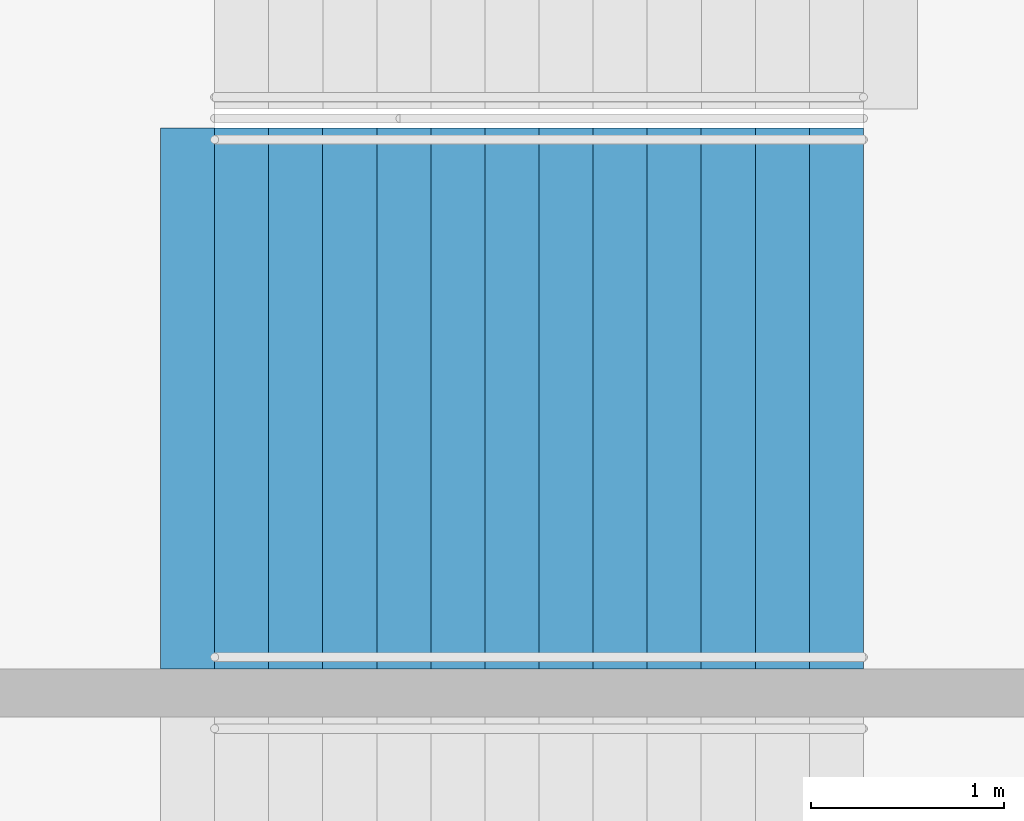
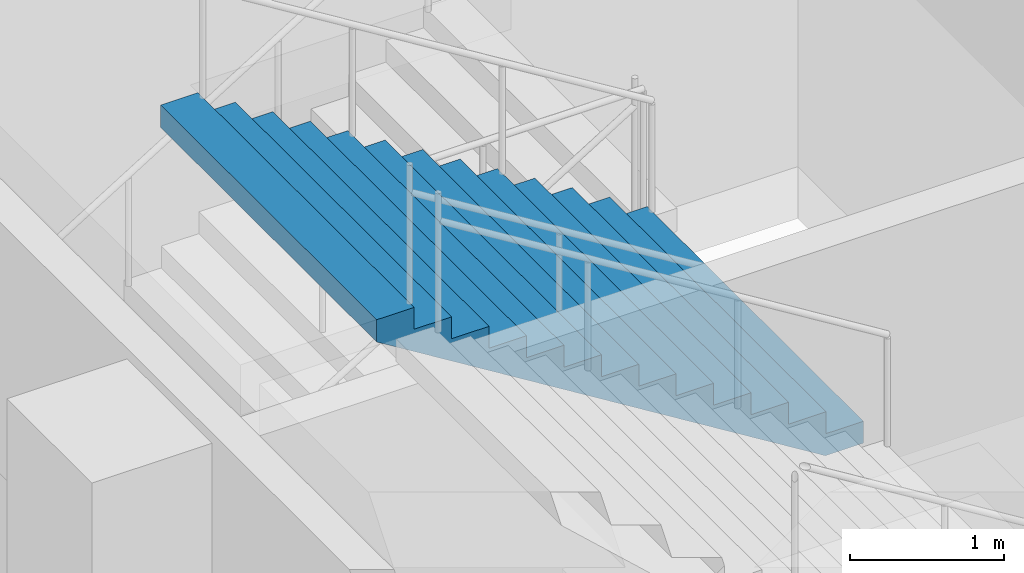
# One storey, part 143 of 199: 1 stair flight, 1 element without a shape of its own.
"""IFC4 building model written with IfcOpenShell, lengths in metres."""

from ifc_helpers import new_model, si_unit, direction, frame, origin, place, context, subcontext, project, spatial, faceted_brep, material, type_object, element, aggregate, save


model = new_model("IFC4")

# Units and contexts
model_context = context("Model", 3, precision=1e-05, world=origin(), true_north=direction((0.0, 1.0)))
body_context = subcontext(model_context, "Body", "Model", "MODEL_VIEW")
ifc_project = project(units=[si_unit("LENGTHUNIT", "METRE"), si_unit("AREAUNIT", "SQUARE_METRE"), si_unit("VOLUMEUNIT", "CUBIC_METRE"), si_unit("PLANEANGLEUNIT", "RADIAN"), si_unit("MASSUNIT", "GRAM", prefix="KILO")], contexts=[model_context])

# Site, building, storey
site_placement = place(None, origin())
site = spatial("IfcSite", under=ifc_project, at=site_placement, CompositionType="ELEMENT")
building_placement = place(site_placement, origin())
building = spatial("IfcBuilding", under=site, at=building_placement, Name="Ogive Plaza Stadium", CompositionType="ELEMENT")
storey_placement = place(building_placement, frame((0.0, 0.0, 4.5)))
storey = spatial("IfcBuildingStorey", under=building, at=storey_placement, Name="L01", CompositionType="ELEMENT", Elevation=4.5)

# Stair, stair flight
ifc_material_1 = material(Name="Concrete C40/50", Category="concrete")
stair_type = type_object("IfcStairType", Name="Exit stair", PredefinedType="STRAIGHT_RUN_STAIR", material=ifc_material_1)
stair_placement = place(storey_placement, origin())
stair = element("IfcStair", 1, at=stair_placement, inside=storey, type_object=stair_type, Name="Exit stair ST08B L01 to L02", PredefinedType="STRAIGHT_RUN_STAIR")
ifc_material_2 = material(Name="Concrete C40/50", Category="concrete")
stair_flight_type = type_object("IfcStairFlightType", Name="Exit stair flight", PredefinedType="STRAIGHT", material=ifc_material_2)
stair_flight_placement = place(storey_placement, frame((79.7099609375, -50.97509765625, 2.25), z_axis=(0.0, 0.0, 1.0), x_axis=(-1.0, 0.0, 0.0)))
stair_flight = element("IfcStairFlight", 2, at=stair_flight_placement, type_object=stair_flight_type, Name="ST08B flight 2", NumberOfRisers=13, NumberOfTreads=12, PredefinedType="STRAIGHT", RiserHeight=0.173076923, TreadLength=0.28, context=body_context, shape_type="Brep", body=[
    faceted_brep([(0.28515625, -1.39990234375, 0.0), (3.639892578125, -1.39990234375, 2.07373046875), (3.639892578125, -1.39990234375, 2.25), (3.360107421875, -1.39990234375, 2.25), (3.360107421875, -1.39990234375, 2.076904296875), (3.080078125, -1.39990234375, 2.076904296875), (3.080078125, -1.39990234375, 1.90380859375), (2.800048828125, -1.39990234375, 1.90380859375), (2.800048828125, -1.39990234375, 1.730712890625), (2.52001953125, -1.39990234375, 1.730712890625), (2.52001953125, -1.39990234375, 1.5576171875), (2.239990234375, -1.39990234375, 1.5576171875), (2.239990234375, -1.39990234375, 1.384521484375), (1.9599609375, -1.39990234375, 1.384521484375), (1.9599609375, -1.39990234375, 1.21142578125), (1.679931640625, -1.39990234375, 1.21142578125), (1.679931640625, -1.39990234375, 1.03857421875), (1.39990234375, -1.39990234375, 1.03857421875), (1.39990234375, -1.39990234375, 0.865478515625), (1.1201171875, -1.39990234375, 0.865478515625), (1.1201171875, -1.39990234375, 0.6923828125), (0.840087890625, -1.39990234375, 0.6923828125), (0.840087890625, -1.39990234375, 0.519287109375), (0.56005859375, -1.39990234375, 0.519287109375), (0.56005859375, -1.39990234375, 0.34619140625), (0.280029296875, -1.39990234375, 0.34619140625), (0.280029296875, -1.39990234375, 0.173095703125), (0.0, -1.39990234375, 0.173095703125), (0.0, -1.39990234375, 0.0), (0.0, 1.39990234375, 0.0), (0.0, 1.39990234375, 0.173095703125), (0.280029296875, 1.39990234375, 0.173095703125), (0.280029296875, 1.39990234375, 0.34619140625), (0.56005859375, 1.39990234375, 0.34619140625), (0.56005859375, 1.39990234375, 0.519287109375), (0.840087890625, 1.39990234375, 0.519287109375), (0.840087890625, 1.39990234375, 0.6923828125), (1.1201171875, 1.39990234375, 0.6923828125), (1.1201171875, 1.39990234375, 0.865478515625), (1.39990234375, 1.39990234375, 0.865478515625), (1.39990234375, 1.39990234375, 1.03857421875), (1.679931640625, 1.39990234375, 1.03857421875), (1.679931640625, 1.39990234375, 1.21142578125), (1.9599609375, 1.39990234375, 1.21142578125), (1.9599609375, 1.39990234375, 1.384521484375), (2.239990234375, 1.39990234375, 1.384521484375), (2.239990234375, 1.39990234375, 1.5576171875), (2.52001953125, 1.39990234375, 1.5576171875), (2.52001953125, 1.39990234375, 1.730712890625), (2.800048828125, 1.39990234375, 1.730712890625), (2.800048828125, 1.39990234375, 1.90380859375), (3.080078125, 1.39990234375, 1.90380859375), (3.080078125, 1.39990234375, 2.076904296875), (3.360107421875, 1.39990234375, 2.076904296875), (3.360107421875, 1.39990234375, 2.25), (3.639892578125, 1.39990234375, 2.25), (3.639892578125, 1.39990234375, 2.07373046875), (0.28515625, 1.39990234375, 0.0), (0.28515625, -1.0888671875, 0.0), (3.639892578125, -1.0888671875, 2.07373046875), (0.28515625, -0.77783203125, 0.0), (3.639892578125, -0.77783203125, 2.07373046875), (0.28515625, -0.466796875, 0.0), (3.639892578125, -0.466796875, 2.07373046875), (0.28515625, -0.155517578125, 0.0), (3.639892578125, -0.155517578125, 2.07373046875), (0.28515625, 0.155517578125, 0.0), (3.639892578125, 0.155517578125, 2.07373046875), (0.28515625, 0.466796875, 0.0), (3.639892578125, 0.466796875, 2.07373046875), (0.28515625, 0.77783203125, 0.0), (3.639892578125, 0.77783203125, 2.07373046875), (0.28515625, 1.0888671875, 0.0), (3.639892578125, 1.0888671875, 2.07373046875), (3.639892578125, -1.0888671875, 2.25), (3.639892578125, -0.77783203125, 2.25), (3.639892578125, -0.466796875, 2.25), (3.639892578125, -0.155517578125, 2.25), (3.639892578125, 0.155517578125, 2.25), (3.639892578125, 0.466796875, 2.25), (3.639892578125, 0.77783203125, 2.25), (3.639892578125, 1.0888671875, 2.25), (3.360107421875, -1.0888671875, 2.25), (3.360107421875, -0.77783203125, 2.25), (3.360107421875, -0.466796875, 2.25), (3.360107421875, -0.155517578125, 2.25), (3.360107421875, 0.155517578125, 2.25), (3.360107421875, 0.466796875, 2.25), (3.360107421875, 0.77783203125, 2.25), (3.360107421875, 1.0888671875, 2.25), (3.360107421875, -1.0888671875, 2.076904296875), (3.360107421875, -0.77783203125, 2.076904296875), (3.360107421875, -0.466796875, 2.076904296875), (3.360107421875, -0.155517578125, 2.076904296875), (3.360107421875, 0.155517578125, 2.076904296875), (3.360107421875, 0.466796875, 2.076904296875), (3.360107421875, 0.77783203125, 2.076904296875), (3.360107421875, 1.0888671875, 2.076904296875), (3.080078125, -1.0888671875, 2.076904296875), (3.080078125, -0.77783203125, 2.076904296875), (3.080078125, -0.466796875, 2.076904296875), (3.080078125, -0.155517578125, 2.076904296875), (3.080078125, 0.155517578125, 2.076904296875), (3.080078125, 0.466796875, 2.076904296875), (3.080078125, 0.77783203125, 2.076904296875), (3.080078125, 1.0888671875, 2.076904296875), (3.080078125, -1.0888671875, 1.90380859375), (3.080078125, -0.77783203125, 1.90380859375), (3.080078125, -0.466796875, 1.90380859375), (3.080078125, -0.155517578125, 1.90380859375), (3.080078125, 0.155517578125, 1.90380859375), (3.080078125, 0.466796875, 1.90380859375), (3.080078125, 0.77783203125, 1.90380859375), (3.080078125, 1.0888671875, 1.90380859375), (2.800048828125, -1.0888671875, 1.90380859375), (2.800048828125, -0.77783203125, 1.90380859375), (2.800048828125, -0.466796875, 1.90380859375), (2.800048828125, -0.155517578125, 1.90380859375), (2.800048828125, 0.155517578125, 1.90380859375), (2.800048828125, 0.466796875, 1.90380859375), (2.800048828125, 0.77783203125, 1.90380859375), (2.800048828125, 1.0888671875, 1.90380859375), (2.800048828125, -1.0888671875, 1.730712890625), (2.800048828125, -0.77783203125, 1.730712890625), (2.800048828125, -0.466796875, 1.730712890625), (2.800048828125, -0.155517578125, 1.730712890625), (2.800048828125, 0.155517578125, 1.730712890625), (2.800048828125, 0.466796875, 1.730712890625), (2.800048828125, 0.77783203125, 1.730712890625), (2.800048828125, 1.0888671875, 1.730712890625), (2.52001953125, -1.0888671875, 1.730712890625), (2.52001953125, -0.77783203125, 1.730712890625), (2.52001953125, -0.466796875, 1.730712890625), (2.52001953125, -0.155517578125, 1.730712890625), (2.52001953125, 0.155517578125, 1.730712890625), (2.52001953125, 0.466796875, 1.730712890625), (2.52001953125, 0.77783203125, 1.730712890625), (2.52001953125, 1.0888671875, 1.730712890625), (2.52001953125, -1.0888671875, 1.5576171875), (2.52001953125, -0.77783203125, 1.5576171875), (2.52001953125, -0.466796875, 1.5576171875), (2.52001953125, -0.155517578125, 1.5576171875), (2.52001953125, 0.155517578125, 1.5576171875), (2.52001953125, 0.466796875, 1.5576171875), (2.52001953125, 0.77783203125, 1.5576171875), (2.52001953125, 1.0888671875, 1.5576171875), (2.239990234375, -1.0888671875, 1.5576171875), (2.239990234375, -0.77783203125, 1.5576171875), (2.239990234375, -0.466796875, 1.5576171875), (2.239990234375, -0.155517578125, 1.5576171875), (2.239990234375, 0.155517578125, 1.5576171875), (2.239990234375, 0.466796875, 1.5576171875), (2.239990234375, 0.77783203125, 1.5576171875), (2.239990234375, 1.0888671875, 1.5576171875), (2.239990234375, -1.0888671875, 1.384521484375), (2.239990234375, -0.77783203125, 1.384521484375), (2.239990234375, -0.466796875, 1.384521484375), (2.239990234375, -0.155517578125, 1.384521484375), (2.239990234375, 0.155517578125, 1.384521484375), (2.239990234375, 0.466796875, 1.384521484375), (2.239990234375, 0.77783203125, 1.384521484375), (2.239990234375, 1.0888671875, 1.384521484375), (1.9599609375, -1.0888671875, 1.384521484375), (1.9599609375, -0.77783203125, 1.384521484375), (1.9599609375, -0.466796875, 1.384521484375), (1.9599609375, -0.155517578125, 1.384521484375), (1.9599609375, 0.155517578125, 1.384521484375), (1.9599609375, 0.466796875, 1.384521484375), (1.9599609375, 0.77783203125, 1.384521484375), (1.9599609375, 1.0888671875, 1.384521484375), (1.9599609375, -1.0888671875, 1.21142578125), (1.9599609375, -0.77783203125, 1.21142578125), (1.9599609375, -0.466796875, 1.21142578125), (1.9599609375, -0.155517578125, 1.21142578125), (1.9599609375, 0.155517578125, 1.21142578125), (1.9599609375, 0.466796875, 1.21142578125), (1.9599609375, 0.77783203125, 1.21142578125), (1.9599609375, 1.0888671875, 1.21142578125), (1.679931640625, -1.0888671875, 1.21142578125), (1.679931640625, -0.77783203125, 1.21142578125), (1.679931640625, -0.466796875, 1.21142578125), (1.679931640625, -0.155517578125, 1.21142578125), (1.679931640625, 0.155517578125, 1.21142578125), (1.679931640625, 0.466796875, 1.21142578125), (1.679931640625, 0.77783203125, 1.21142578125), (1.679931640625, 1.0888671875, 1.21142578125), (1.679931640625, -1.0888671875, 1.03857421875), (1.679931640625, -0.77783203125, 1.03857421875), (1.679931640625, -0.466796875, 1.03857421875), (1.679931640625, -0.155517578125, 1.03857421875), (1.679931640625, 0.155517578125, 1.03857421875), (1.679931640625, 0.466796875, 1.03857421875), (1.679931640625, 0.77783203125, 1.03857421875), (1.679931640625, 1.0888671875, 1.03857421875), (1.39990234375, -1.0888671875, 1.03857421875), (1.39990234375, -0.77783203125, 1.03857421875), (1.39990234375, -0.466796875, 1.03857421875), (1.39990234375, -0.155517578125, 1.03857421875), (1.39990234375, 0.155517578125, 1.03857421875), (1.39990234375, 0.466796875, 1.03857421875), (1.39990234375, 0.77783203125, 1.03857421875), (1.39990234375, 1.0888671875, 1.03857421875), (1.39990234375, -1.0888671875, 0.865478515625), (1.39990234375, -0.77783203125, 0.865478515625), (1.39990234375, -0.466796875, 0.865478515625), (1.39990234375, -0.155517578125, 0.865478515625), (1.39990234375, 0.155517578125, 0.865478515625), (1.39990234375, 0.466796875, 0.865478515625), (1.39990234375, 0.77783203125, 0.865478515625), (1.39990234375, 1.0888671875, 0.865478515625), (1.1201171875, -1.0888671875, 0.865478515625), (1.1201171875, -0.77783203125, 0.865478515625), (1.1201171875, -0.466796875, 0.865478515625), (1.1201171875, -0.155517578125, 0.865478515625), (1.1201171875, 0.155517578125, 0.865478515625), (1.1201171875, 0.466796875, 0.865478515625), (1.1201171875, 0.77783203125, 0.865478515625), (1.1201171875, 1.0888671875, 0.865478515625), (1.1201171875, -1.0888671875, 0.6923828125), (1.1201171875, -0.77783203125, 0.6923828125), (1.1201171875, -0.466796875, 0.6923828125), (1.1201171875, -0.155517578125, 0.6923828125), (1.1201171875, 0.155517578125, 0.6923828125), (1.1201171875, 0.466796875, 0.6923828125), (1.1201171875, 0.77783203125, 0.6923828125), (1.1201171875, 1.0888671875, 0.6923828125), (0.840087890625, -1.0888671875, 0.6923828125), (0.840087890625, -0.77783203125, 0.6923828125), (0.840087890625, -0.466796875, 0.6923828125), (0.840087890625, -0.155517578125, 0.6923828125), (0.840087890625, 0.155517578125, 0.6923828125), (0.840087890625, 0.466796875, 0.6923828125), (0.840087890625, 0.77783203125, 0.6923828125), (0.840087890625, 1.0888671875, 0.6923828125), (0.840087890625, -1.0888671875, 0.519287109375), (0.840087890625, -0.77783203125, 0.519287109375), (0.840087890625, -0.466796875, 0.519287109375), (0.840087890625, -0.155517578125, 0.519287109375), (0.840087890625, 0.155517578125, 0.519287109375), (0.840087890625, 0.466796875, 0.519287109375), (0.840087890625, 0.77783203125, 0.519287109375), (0.840087890625, 1.0888671875, 0.519287109375), (0.56005859375, -1.0888671875, 0.519287109375), (0.56005859375, -0.77783203125, 0.519287109375), (0.56005859375, -0.466796875, 0.519287109375), (0.56005859375, -0.155517578125, 0.519287109375), (0.56005859375, 0.155517578125, 0.519287109375), (0.56005859375, 0.466796875, 0.519287109375), (0.56005859375, 0.77783203125, 0.519287109375), (0.56005859375, 1.0888671875, 0.519287109375), (0.56005859375, -1.0888671875, 0.34619140625), (0.56005859375, -0.77783203125, 0.34619140625), (0.56005859375, -0.466796875, 0.34619140625), (0.56005859375, -0.155517578125, 0.34619140625), (0.56005859375, 0.155517578125, 0.34619140625), (0.56005859375, 0.466796875, 0.34619140625), (0.56005859375, 0.77783203125, 0.34619140625), (0.56005859375, 1.0888671875, 0.34619140625), (0.280029296875, -1.0888671875, 0.34619140625), (0.280029296875, -0.77783203125, 0.34619140625), (0.280029296875, -0.466796875, 0.34619140625), (0.280029296875, -0.155517578125, 0.34619140625), (0.280029296875, 0.155517578125, 0.34619140625), (0.280029296875, 0.466796875, 0.34619140625), (0.280029296875, 0.77783203125, 0.34619140625), (0.280029296875, 1.0888671875, 0.34619140625), (0.280029296875, -1.0888671875, 0.173095703125), (0.280029296875, -0.77783203125, 0.173095703125), (0.280029296875, -0.466796875, 0.173095703125), (0.280029296875, -0.155517578125, 0.173095703125), (0.280029296875, 0.155517578125, 0.173095703125), (0.280029296875, 0.466796875, 0.173095703125), (0.280029296875, 0.77783203125, 0.173095703125), (0.280029296875, 1.0888671875, 0.173095703125), (0.0, -1.0888671875, 0.173095703125), (0.0, -0.77783203125, 0.173095703125), (0.0, -0.466796875, 0.173095703125), (0.0, -0.155517578125, 0.173095703125), (0.0, 0.155517578125, 0.173095703125), (0.0, 0.466796875, 0.173095703125), (0.0, 0.77783203125, 0.173095703125), (0.0, 1.0888671875, 0.173095703125), (0.0, -1.0888671875, 0.0), (0.0, -0.77783203125, 0.0), (0.0, -0.466796875, 0.0), (0.0, -0.155517578125, 0.0), (0.0, 0.155517578125, 0.0), (0.0, 0.466796875, 0.0), (0.0, 0.77783203125, 0.0), (0.0, 1.0888671875, 0.0)], [[[0, 1, 2, 3, 4, 5, 6, 7, 8, 9, 10, 11, 12, 13, 14, 15, 16, 17, 18, 19, 20, 21, 22, 23, 24, 25, 26, 27, 28]], [[29, 30, 31, 32, 33, 34, 35, 36, 37, 38, 39, 40, 41, 42, 43, 44, 45, 46, 47, 48, 49, 50, 51, 52, 53, 54, 55, 56, 57]], [[0, 58, 59, 1]], [[58, 60, 61, 59]], [[60, 62, 63, 61]], [[62, 64, 65, 63]], [[64, 66, 67, 65]], [[66, 68, 69, 67]], [[68, 70, 71, 69]], [[70, 72, 73, 71]], [[72, 57, 56, 73]], [[1, 59, 74, 2]], [[59, 61, 75, 74]], [[61, 63, 76, 75]], [[63, 65, 77, 76]], [[65, 67, 78, 77]], [[67, 69, 79, 78]], [[69, 71, 80, 79]], [[71, 73, 81, 80]], [[73, 56, 55, 81]], [[2, 74, 82, 3]], [[74, 75, 83, 82]], [[75, 76, 84, 83]], [[76, 77, 85, 84]], [[77, 78, 86, 85]], [[78, 79, 87, 86]], [[79, 80, 88, 87]], [[80, 81, 89, 88]], [[81, 55, 54, 89]], [[3, 82, 90, 4]], [[82, 83, 91, 90]], [[83, 84, 92, 91]], [[84, 85, 93, 92]], [[85, 86, 94, 93]], [[86, 87, 95, 94]], [[87, 88, 96, 95]], [[88, 89, 97, 96]], [[89, 54, 53, 97]], [[4, 90, 98, 5]], [[90, 91, 99, 98]], [[91, 92, 100, 99]], [[92, 93, 101, 100]], [[93, 94, 102, 101]], [[94, 95, 103, 102]], [[95, 96, 104, 103]], [[96, 97, 105, 104]], [[97, 53, 52, 105]], [[5, 98, 106, 6]], [[98, 99, 107, 106]], [[99, 100, 108, 107]], [[100, 101, 109, 108]], [[101, 102, 110, 109]], [[102, 103, 111, 110]], [[103, 104, 112, 111]], [[104, 105, 113, 112]], [[105, 52, 51, 113]], [[6, 106, 114, 7]], [[106, 107, 115, 114]], [[107, 108, 116, 115]], [[108, 109, 117, 116]], [[109, 110, 118, 117]], [[110, 111, 119, 118]], [[111, 112, 120, 119]], [[112, 113, 121, 120]], [[113, 51, 50, 121]], [[7, 114, 122, 8]], [[114, 115, 123, 122]], [[115, 116, 124, 123]], [[116, 117, 125, 124]], [[117, 118, 126, 125]], [[118, 119, 127, 126]], [[119, 120, 128, 127]], [[120, 121, 129, 128]], [[121, 50, 49, 129]], [[8, 122, 130, 9]], [[122, 123, 131, 130]], [[123, 124, 132, 131]], [[124, 125, 133, 132]], [[125, 126, 134, 133]], [[126, 127, 135, 134]], [[127, 128, 136, 135]], [[128, 129, 137, 136]], [[129, 49, 48, 137]], [[9, 130, 138, 10]], [[130, 131, 139, 138]], [[131, 132, 140, 139]], [[132, 133, 141, 140]], [[133, 134, 142, 141]], [[134, 135, 143, 142]], [[135, 136, 144, 143]], [[136, 137, 145, 144]], [[137, 48, 47, 145]], [[10, 138, 146, 11]], [[138, 139, 147, 146]], [[139, 140, 148, 147]], [[140, 141, 149, 148]], [[141, 142, 150, 149]], [[142, 143, 151, 150]], [[143, 144, 152, 151]], [[144, 145, 153, 152]], [[145, 47, 46, 153]], [[11, 146, 154, 12]], [[146, 147, 155, 154]], [[147, 148, 156, 155]], [[148, 149, 157, 156]], [[149, 150, 158, 157]], [[150, 151, 159, 158]], [[151, 152, 160, 159]], [[152, 153, 161, 160]], [[153, 46, 45, 161]], [[12, 154, 162, 13]], [[154, 155, 163, 162]], [[155, 156, 164, 163]], [[156, 157, 165, 164]], [[157, 158, 166, 165]], [[158, 159, 167, 166]], [[159, 160, 168, 167]], [[160, 161, 169, 168]], [[161, 45, 44, 169]], [[13, 162, 170, 14]], [[162, 163, 171, 170]], [[163, 164, 172, 171]], [[164, 165, 173, 172]], [[165, 166, 174, 173]], [[166, 167, 175, 174]], [[167, 168, 176, 175]], [[168, 169, 177, 176]], [[169, 44, 43, 177]], [[14, 170, 178, 15]], [[170, 171, 179, 178]], [[171, 172, 180, 179]], [[172, 173, 181, 180]], [[173, 174, 182, 181]], [[174, 175, 183, 182]], [[175, 176, 184, 183]], [[176, 177, 185, 184]], [[177, 43, 42, 185]], [[15, 178, 186, 16]], [[178, 179, 187, 186]], [[179, 180, 188, 187]], [[180, 181, 189, 188]], [[181, 182, 190, 189]], [[182, 183, 191, 190]], [[183, 184, 192, 191]], [[184, 185, 193, 192]], [[185, 42, 41, 193]], [[16, 186, 194, 17]], [[186, 187, 195, 194]], [[187, 188, 196, 195]], [[188, 189, 197, 196]], [[189, 190, 198, 197]], [[190, 191, 199, 198]], [[191, 192, 200, 199]], [[192, 193, 201, 200]], [[193, 41, 40, 201]], [[17, 194, 202, 18]], [[194, 195, 203, 202]], [[195, 196, 204, 203]], [[196, 197, 205, 204]], [[197, 198, 206, 205]], [[198, 199, 207, 206]], [[199, 200, 208, 207]], [[200, 201, 209, 208]], [[201, 40, 39, 209]], [[18, 202, 210, 19]], [[202, 203, 211, 210]], [[203, 204, 212, 211]], [[204, 205, 213, 212]], [[205, 206, 214, 213]], [[206, 207, 215, 214]], [[207, 208, 216, 215]], [[208, 209, 217, 216]], [[209, 39, 38, 217]], [[19, 210, 218, 20]], [[210, 211, 219, 218]], [[211, 212, 220, 219]], [[212, 213, 221, 220]], [[213, 214, 222, 221]], [[214, 215, 223, 222]], [[215, 216, 224, 223]], [[216, 217, 225, 224]], [[217, 38, 37, 225]], [[20, 218, 226, 21]], [[218, 219, 227, 226]], [[219, 220, 228, 227]], [[220, 221, 229, 228]], [[221, 222, 230, 229]], [[222, 223, 231, 230]], [[223, 224, 232, 231]], [[224, 225, 233, 232]], [[225, 37, 36, 233]], [[21, 226, 234, 22]], [[226, 227, 235, 234]], [[227, 228, 236, 235]], [[228, 229, 237, 236]], [[229, 230, 238, 237]], [[230, 231, 239, 238]], [[231, 232, 240, 239]], [[232, 233, 241, 240]], [[233, 36, 35, 241]], [[22, 234, 242, 23]], [[234, 235, 243, 242]], [[235, 236, 244, 243]], [[236, 237, 245, 244]], [[237, 238, 246, 245]], [[238, 239, 247, 246]], [[239, 240, 248, 247]], [[240, 241, 249, 248]], [[241, 35, 34, 249]], [[23, 242, 250, 24]], [[242, 243, 251, 250]], [[243, 244, 252, 251]], [[244, 245, 253, 252]], [[245, 246, 254, 253]], [[246, 247, 255, 254]], [[247, 248, 256, 255]], [[248, 249, 257, 256]], [[249, 34, 33, 257]], [[24, 250, 258, 25]], [[250, 251, 259, 258]], [[251, 252, 260, 259]], [[252, 253, 261, 260]], [[253, 254, 262, 261]], [[254, 255, 263, 262]], [[255, 256, 264, 263]], [[256, 257, 265, 264]], [[257, 33, 32, 265]], [[25, 258, 266, 26]], [[258, 259, 267, 266]], [[259, 260, 268, 267]], [[260, 261, 269, 268]], [[261, 262, 270, 269]], [[262, 263, 271, 270]], [[263, 264, 272, 271]], [[264, 265, 273, 272]], [[265, 32, 31, 273]], [[26, 266, 274, 27]], [[266, 267, 275, 274]], [[267, 268, 276, 275]], [[268, 269, 277, 276]], [[269, 270, 278, 277]], [[270, 271, 279, 278]], [[271, 272, 280, 279]], [[272, 273, 281, 280]], [[273, 31, 30, 281]], [[27, 274, 282, 28]], [[274, 275, 283, 282]], [[275, 276, 284, 283]], [[276, 277, 285, 284]], [[277, 278, 286, 285]], [[278, 279, 287, 286]], [[279, 280, 288, 287]], [[280, 281, 289, 288]], [[281, 30, 29, 289]], [[28, 282, 58, 0]], [[282, 283, 60, 58]], [[283, 284, 62, 60]], [[284, 285, 64, 62]], [[285, 286, 66, 64]], [[286, 287, 68, 66]], [[287, 288, 70, 68]], [[288, 289, 72, 70]], [[289, 29, 57, 72]]]),
])
aggregate(stair, [stair_flight])

save(model, "model.ifc")
